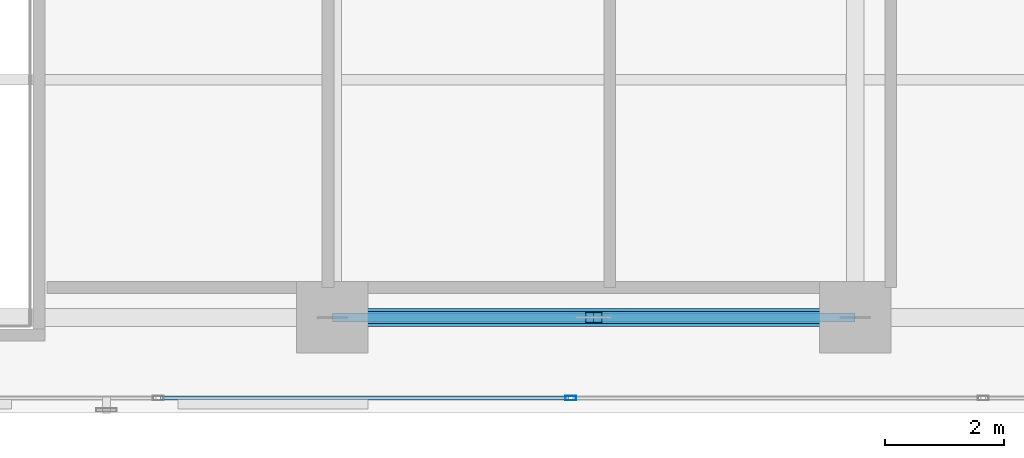
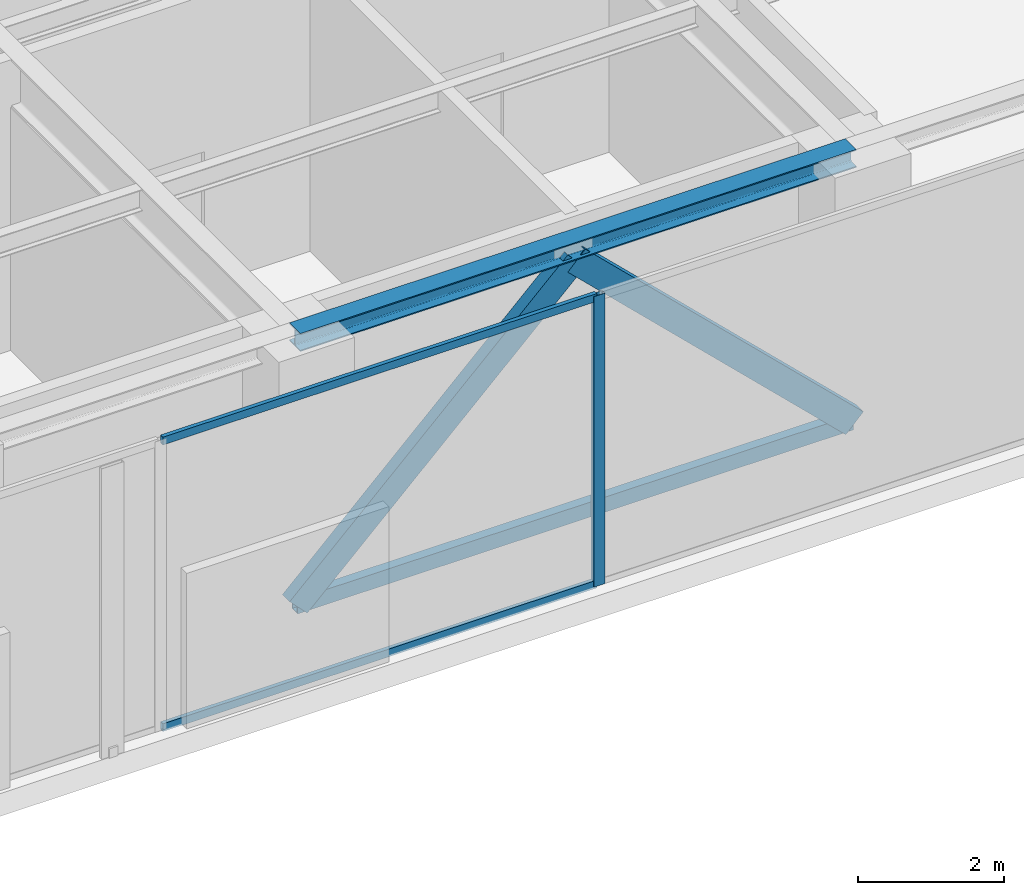
# One storey, part 15 of 36: 6 members, 1 beam, 1 element without a shape of its own.
"""IFC4 building model written with IfcOpenShell, lengths in metres."""

from ifc_helpers import new_model, si_unit, direction, frame, origin, origin_with_axes, origin_2d, place, context, subcontext, project, spatial, hollow_rectangle, i_section, extrude, source, transform, mapped, material, layer, layer_set, material_profile, profile_set, type_object, element, aggregate, save


model = new_model("IFC4")

# Units and contexts
model_context = context("Model", 3, precision=1e-05, world=origin(), true_north=direction((0.0, 1.0)))
body_context = subcontext(model_context, "Body", "Model", "MODEL_VIEW")
ifc_project = project(units=[si_unit("LENGTHUNIT", "METRE"), si_unit("AREAUNIT", "SQUARE_METRE"), si_unit("VOLUMEUNIT", "CUBIC_METRE"), si_unit("PLANEANGLEUNIT", "RADIAN"), si_unit("MASSUNIT", "GRAM", prefix="KILO")], contexts=[model_context])

# Site, building, storey
site_placement = place(None, origin())
site = spatial("IfcSite", under=ifc_project, at=site_placement, CompositionType="ELEMENT")
building_placement = place(site_placement, origin())
building = spatial("IfcBuilding", under=site, at=building_placement, Name="Kolvaren Waterfront Exchange", CompositionType="ELEMENT")
storey_placement = place(building_placement, frame((0.0, 0.0, 199.39990234375)))
storey = spatial("IfcBuildingStorey", under=building, at=storey_placement, Name="L51", CompositionType="ELEMENT", Elevation=199.39990234375)

# Beam
ifc_material_1 = material(Name="Steel S355", Category="steel")
ifc_material_profile_1 = material_profile(ifc_material_1, i_section(OverallWidth=0.300048828125, OverallDepth=0.300048828125, WebThickness=0.010986328125, FlangeThickness=0.01904296875, FilletRadius=0.027099609375, at=origin_2d()), Name="HEB300")
ifc_profile_set_1 = profile_set([ifc_material_profile_1], Name="Steel S355")
beam_type = type_object("IfcBeamType", Name="STR-BM-HEB300", PredefinedType="SPANDREL", material=ifc_profile_set_1)
beam_placement = place(storey_placement, frame((36.800048828125, 5.199951171875, 4.710205078125), z_axis=(1.0, 0.0, 0.0), x_axis=(0.0, 1.0, 0.0)))
element("IfcBeam", 1, at=beam_placement, inside=storey, type_object=beam_type, Name="L51 east-arm spandrel S3", PredefinedType="SPANDREL", context=body_context, shape_type="SweptSolid", body=[
    extrude(i_section(OverallWidth=0.300048828125, OverallDepth=0.300048828125, WebThickness=0.010986328125, FlangeThickness=0.01904296875, FilletRadius=0.027099609375, at=origin_2d()), origin(), (0.0, 0.0, 1.0), 8.800048828125),
])

# Members
ifc_material_2 = material(Name="Steel S460", Category="steel")
ifc_material_profile_2 = material_profile(ifc_material_2, hollow_rectangle(XDim=0.14990234375, YDim=0.25, WallThickness=0.010009765625, at=origin_2d()), Name="RHS250x150x10")
ifc_profile_set_2 = profile_set([ifc_material_profile_2], Name="Steel S460")
member_type_1 = type_object("IfcMemberType", Name="STR-BR-RHS250", PredefinedType="CHORD", material=ifc_profile_set_2)
member_1_placement = place(storey_placement, frame((36.800048828125, 5.199951171875, 0.25), z_axis=(1.0, 0.0, 0.0), x_axis=(0.0, 1.0, 0.0)))
element("IfcMember", 2, at=member_1_placement, inside=storey, type_object=member_type_1, Name="L51 belt-truss bottom chord BT3", PredefinedType="CHORD", context=body_context, shape_type="SweptSolid", body=[
    extrude(hollow_rectangle(XDim=0.14990234375, YDim=0.25, WallThickness=0.010009765625, at=origin_2d()), origin(), (0.0, 0.0, 1.0), 8.800048828125),
])
ifc_material_profile_3 = material_profile(ifc_material_2, hollow_rectangle(XDim=0.199951171875, YDim=0.39990234375, WallThickness=0.01611328125, at=origin_2d()), Name="RHS400x200x16")
ifc_profile_set_3 = profile_set([ifc_material_profile_3], Name="Steel S460")
member_type_2 = type_object("IfcMemberType", Name="STR-BR-RHS400", PredefinedType="BRACE", material=ifc_profile_set_3)
member_2_placement = place(storey_placement, frame((36.800048828125, 5.199951171875, 0.25), z_axis=(0.718435680477, 0.0, 0.695593396329), x_axis=(0.0, 1.0, 0.0)))
element("IfcMember", 3, at=member_2_placement, inside=storey, type_object=member_type_2, Name="L51 belt-truss chevron brace BT3L", PredefinedType="BRACE", context=body_context, shape_type="SweptSolid", body=[
    extrude(hollow_rectangle(XDim=0.199951171875, YDim=0.39990234375, WallThickness=0.01611328125, at=origin_2d()), origin(), (0.0, 0.0, 1.0), 6.124267578125),
])
member_3_placement = place(storey_placement, frame((45.60009765625, 5.199951171875, 0.25), z_axis=(-0.718454968031, 0.0, 0.695573474847), x_axis=(0.0, -1.0, 0.0)))
element("IfcMember", 4, at=member_3_placement, inside=storey, type_object=member_type_2, Name="L51 belt-truss chevron brace BT3R", PredefinedType="BRACE", context=body_context, shape_type="SweptSolid", body=[
    extrude(hollow_rectangle(XDim=0.199951171875, YDim=0.39990234375, WallThickness=0.01611328125, at=origin_2d()), origin(), (0.0, 0.0, 1.0), 6.12451171875),
])

# Curtain wall, members
ifc_material_3 = material(Name="Anodised dark bronze spandrel aluminium", Category="aluminium")
ifc_layer = layer(ifc_material_3, 0.219970703125, Name="Anodised dark bronze spandrel aluminium")
ifc_layer_set = layer_set([ifc_layer], Name="Anodised dark bronze spandrel aluminium")
curtain_wall_type = type_object("IfcCurtainWallType", Name="ARC-CW-SYS6", PredefinedType="USERDEFINED", material=ifc_layer_set)
curtain_wall_placement = place(storey_placement, origin())
curtain_wall = element("IfcCurtainWall", 5, at=curtain_wall_placement, inside=storey, type_object=curtain_wall_type, Name="L51 stick curtain wall CW6 (CW-L51-S)", ObjectType="STICK CURTAIN WALL", PredefinedType="USERDEFINED")
ifc_material_4 = material(Name="Anodised bronze aluminium 6063-T6", Category="aluminium")
ifc_material_profile_4 = material_profile(ifc_material_4, hollow_rectangle(XDim=0.074951171875, YDim=0.179931640625, WallThickness=0.00439453125, at=origin_2d()), Name="ALU-MUL-180x75x4.5")
ifc_profile_set_4 = profile_set([ifc_material_profile_4], Name="Anodised bronze aluminium 6063-T6")
member_type_3 = type_object("IfcMemberType", Name="ARC-CWM-180", PredefinedType="MULLION", material=ifc_profile_set_4)
shared_shape_1 = source(origin_with_axes(), body_context, "Body", "SweptSolid", [
    extrude(hollow_rectangle(XDim=0.074951171875, YDim=0.179931640625, WallThickness=0.00439453125, at=origin_2d()), origin(), (0.0, 0.0, 1.0), 4.860107421875),
])
member_4_placement = place(storey_placement, frame((40.814208984375, 3.840087890625, 0.0), z_axis=(0.0, 0.0, 1.0), x_axis=(0.0, 1.0, 0.0)))
member_4 = element("IfcMember", 6, at=member_4_placement, type_object=member_type_3, Name="CW6 mullion 6", PredefinedType="MULLION", context=body_context, shape_type="MappedRepresentation", body=[
    mapped(shared_shape_1, transform((0.0, 0.0, 0.0), x_axis=(1.0, 0.0, 0.0), y_axis=(0.0, 1.0, 0.0), z_axis=(0.0, 0.0, 1.0), scale=1.0)),
])
ifc_material_profile_5 = material_profile(ifc_material_4, hollow_rectangle(XDim=0.06494140625, YDim=0.1298828125, WallThickness=0.00390625, at=origin_2d()), Name="ALU-TRN-130x65x4")
ifc_profile_set_5 = profile_set([ifc_material_profile_5], Name="Anodised bronze aluminium 6063-T6")
member_type_4 = type_object("IfcMemberType", Name="ARC-CWT-130", PredefinedType="USERDEFINED", material=ifc_profile_set_5)
shared_shape_2 = source(origin_with_axes(), body_context, "Body", "SweptSolid", [
    extrude(hollow_rectangle(XDim=0.06494140625, YDim=0.1298828125, WallThickness=0.00390625, at=origin_2d()), origin(), (0.0, 0.0, 1.0), 6.867919921875),
])
member_5_placement = place(storey_placement, frame((33.908935546875, 3.840087890625, 0.03271484375), z_axis=(1.0, 0.0, 0.0), x_axis=(0.0, 1.0, 0.0)))
member_5 = element("IfcMember", 7, at=member_5_placement, type_object=member_type_4, Name="CW6 transom 5.1", ObjectType="TRANSOM", PredefinedType="USERDEFINED", context=body_context, shape_type="MappedRepresentation", body=[
    mapped(shared_shape_2, transform((0.0, 0.0, 0.0), x_axis=(1.0, 0.0, 0.0), y_axis=(0.0, 1.0, 0.0), z_axis=(0.0, 0.0, 1.0), scale=1.0)),
])
member_6_placement = place(storey_placement, frame((33.908935546875, 3.840087890625, 4.82763671875), z_axis=(1.0, 0.0, 0.0), x_axis=(0.0, 1.0, 0.0)))
member_6 = element("IfcMember", 8, at=member_6_placement, type_object=member_type_4, Name="CW6 transom 5.2", ObjectType="TRANSOM", PredefinedType="USERDEFINED", context=body_context, shape_type="MappedRepresentation", body=[
    mapped(shared_shape_2, transform((0.0, 0.0, 0.0), x_axis=(1.0, 0.0, 0.0), y_axis=(0.0, 1.0, 0.0), z_axis=(0.0, 0.0, 1.0), scale=1.0)),
])
aggregate(curtain_wall, [member_4, member_5, member_6])

save(model, "model.ifc")
